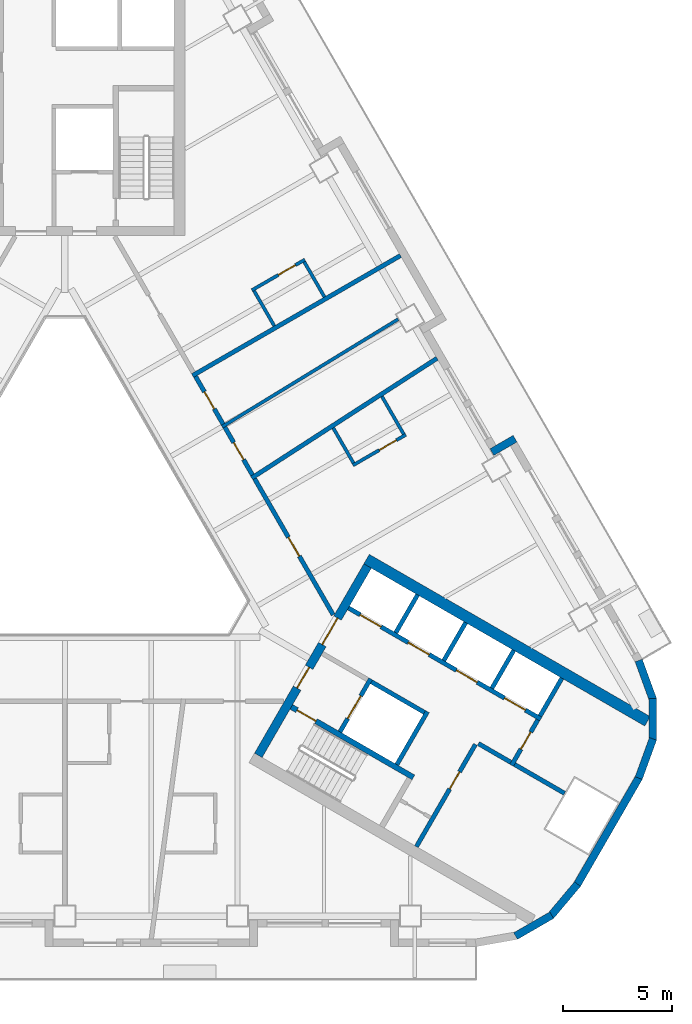
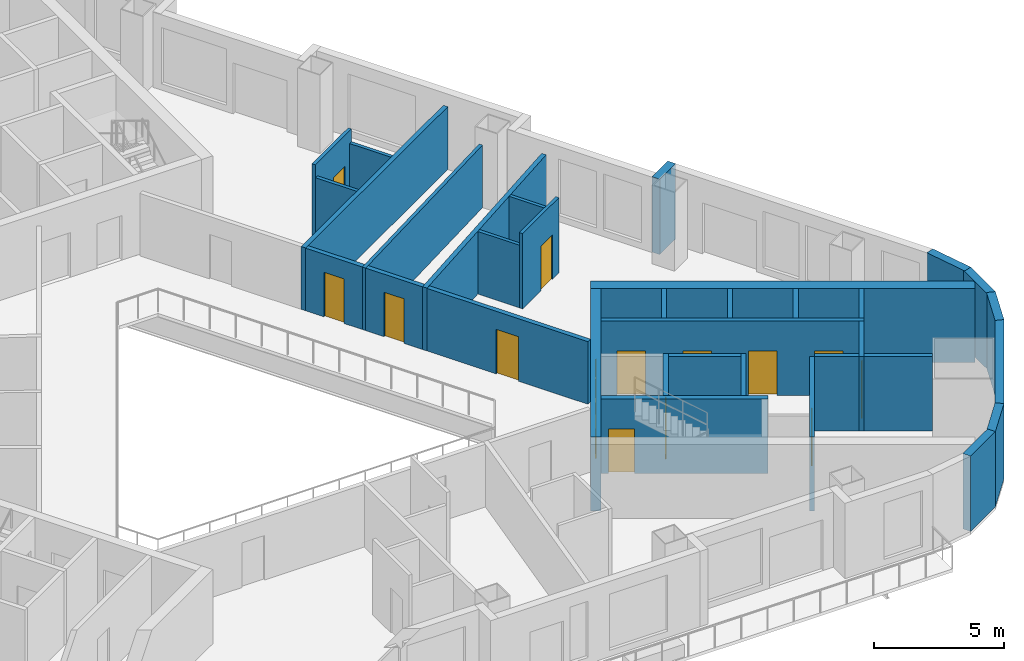
# One storey, part 5 of 13: 34 walls, 15 doors, 15 openings.
"""IFC4 building model written with IfcOpenShell, lengths in metres."""

from ifc_helpers import new_model, si_unit, direction, frame, frame_2d, origin, place, context, subcontext, project, spatial, rectangle, extrude, material, layer, layer_set, type_object, element, fill, save


model = new_model("IFC4")

# Units and contexts
model_context = context("Model", 3, precision=1e-05, world=origin(), true_north=direction((0.0, 1.0)))
body_context = subcontext(model_context, "Body", "Model", "MODEL_VIEW")
ifc_project = project(units=[si_unit("LENGTHUNIT", "METRE"), si_unit("AREAUNIT", "SQUARE_METRE"), si_unit("VOLUMEUNIT", "CUBIC_METRE"), si_unit("PLANEANGLEUNIT", "RADIAN"), si_unit("MASSUNIT", "GRAM", prefix="KILO")], contexts=[model_context])

# Site, building, storey
site_placement = place(None, origin())
site = spatial("IfcSite", under=ifc_project, at=site_placement, CompositionType="ELEMENT")
building_placement = place(site_placement, origin())
building = spatial("IfcBuilding", under=site, at=building_placement, Name="Apuvela Tower Hotel", CompositionType="ELEMENT")
storey_placement = place(building_placement, frame((0.0, 0.0, 65.0)))
storey = spatial("IfcBuildingStorey", under=building, at=storey_placement, Name="L13", CompositionType="ELEMENT", Elevation=65.0)

# Wall, openings, doors
ifc_material_1 = material(Name="Concrete C50/60", Category="concrete")
ifc_layer_1 = layer(ifc_material_1, 0.39990234375)
ifc_layer_set_1 = layer_set([ifc_layer_1], Name="COR-WALL-CORE-400")
wall_type_1 = type_object("IfcWallType", Name="COR-WALL-CORE-400", PredefinedType="SHEAR", material=ifc_layer_set_1)
wall_1_placement = place(storey_placement, frame((8.844970703125, -10.880126953125, 0.0), z_axis=(0.0, 0.0, 1.0), x_axis=(0.500004234368, 0.866022959057, 0.0)))
wall_1 = element("IfcWall", 1, at=wall_1_placement, inside=storey, type_object=wall_type_1, Name="Core wall SE", PredefinedType="SHEAR", context=body_context, shape_type="SweptSolid", body=[
    extrude(rectangle(XDim=10.0, YDim=0.39990234375, at=frame_2d((5.0, 0.0))), origin(), (0.0, 0.0, 1.0), 3.5),
])
opening_1_placement = place(wall_1_placement, frame((3.550048828125, 0.0, 0.0)))
opening_1 = element("IfcOpeningElement", 2, at=opening_1_placement, cuts=wall_1, Name="Opening E-FD", PredefinedType="OPENING", context=body_context, shape_type="SweptSolid", body=[
    extrude(rectangle(XDim=1.10009765625, YDim=2.10009765625, at=frame_2d((0.550048828125, 1.050048828125))), frame((0.0, 0.2099609375, 0.0), z_axis=(0.0, -1.0, 0.0), x_axis=(1.0, 0.0, 0.0)), (0.0, 0.0, 1.0), 0.419921875),
])
opening_2_placement = place(wall_1_placement, frame((5.85009765625, 0.0, 0.0)))
opening_2 = element("IfcOpeningElement", 3, at=opening_2_placement, cuts=wall_1, Name="Opening E-GD", PredefinedType="OPENING", context=body_context, shape_type="SweptSolid", body=[
    extrude(rectangle(XDim=1.39990234375, YDim=2.10009765625, at=frame_2d((0.699951171875, 1.050048828125))), frame((0.0, 0.2099609375, 0.0), z_axis=(0.0, -1.0, 0.0), x_axis=(1.0, 0.0, 0.0)), (0.0, 0.0, 1.0), 0.419921875),
])
ifc_material_2 = material(Name="Steel fire door, powder coated", Category="steel")
door_type_1 = type_object("IfcDoorType", Name="COR-FD-1100", OperationType="NOTDEFINED", PredefinedType="DOOR", material=ifc_material_2)
door_1_placement = place(opening_1_placement, frame((1.10009765625, 0.0, 0.0), z_axis=(0.0, 0.0, 1.0), x_axis=(-1.0, 0.0, 0.0)))
door_1 = element("IfcDoor", 4, at=door_1_placement, inside=storey, type_object=door_type_1, Name="Firefighting lobby door E-FD", OperationType="SINGLE_SWING_LEFT", OverallHeight=2.10009765625, OverallWidth=1.10009765625, PredefinedType="DOOR", context=body_context, shape_type="SweptSolid", body=[
    extrude(rectangle(XDim=1.10009765625, YDim=2.10009765625, at=frame_2d((0.550048828125, 1.050048828125))), frame((0.0, 0.02490234375, 0.0), z_axis=(0.0, -1.0, 0.0), x_axis=(1.0, 0.0, 0.0)), (0.0, 0.0, 1.0), 0.050048828125),
])
fill(opening_1, door_1)
ifc_material_3 = material(Name="Glazed steel fire door", Category="steel")
door_type_2 = type_object("IfcDoorType", Name="COR-GD-1400", OperationType="DOUBLE_DOOR_SINGLE_SWING", PredefinedType="DOOR", material=ifc_material_3)
door_2_placement = place(opening_2_placement, frame((1.39990234375, 0.0, 0.0), z_axis=(0.0, 0.0, 1.0), x_axis=(-1.0, 0.0, 0.0)))
door_2 = element("IfcDoor", 5, at=door_2_placement, inside=storey, type_object=door_type_2, Name="Lift lobby door E-GD", OperationType="DOUBLE_DOOR_SINGLE_SWING", OverallHeight=2.10009765625, OverallWidth=1.39990234375, PredefinedType="DOOR", context=body_context, shape_type="SweptSolid", body=[
    extrude(rectangle(XDim=1.39990234375, YDim=2.10009765625, at=frame_2d((0.699951171875, 1.050048828125))), frame((0.0, 0.02490234375, 0.0), z_axis=(0.0, -1.0, 0.0), x_axis=(1.0, 0.0, 0.0)), (0.0, 0.0, 1.0), 0.050048828125),
])
fill(opening_2, door_2)

# Wall
ifc_layer_2 = layer(ifc_material_1, 0.5)
ifc_layer_set_2 = layer_set([ifc_layer_2], Name="COR-WALL-CORE-500")
wall_type_2 = type_object("IfcWallType", Name="COR-WALL-CORE-500", PredefinedType="SHEAR", material=ifc_layer_set_2)
wall_2_placement = place(storey_placement, frame((13.796630859375, -1.9033203125, 0.0), z_axis=(0.0, 0.0, 1.0), x_axis=(0.866025009528, -0.500000682871, 0.0)))
element("IfcWall", 6, at=wall_2_placement, inside=storey, type_object=wall_type_2, Name="Core wall SE", PredefinedType="SHEAR", context=body_context, shape_type="SweptSolid", body=[
    extrude(rectangle(XDim=14.8369140625, YDim=0.5, at=frame_2d((7.41845703125, 0.0))), origin(), (0.0, 0.0, 1.0), 3.5),
])

# Wall, opening, door
ifc_material_4 = material(Name="Blockwork 200 mm plastered", Category="masonry")
ifc_layer_3 = layer(ifc_material_4, 0.199951171875)
ifc_layer_set_3 = layer_set([ifc_layer_3], Name="COR-WALL-PART-200")
wall_type_3 = type_object("IfcWallType", Name="COR-WALL-PART-200", PredefinedType="PARTITIONING", material=ifc_layer_set_3)
wall_3_placement = place(storey_placement, frame((16.076171875, -15.05517578125, 0.0), z_axis=(0.0, 0.0, 1.0), x_axis=(0.499995103361, 0.866028230842, 0.0)))
wall_3 = element("IfcWall", 7, at=wall_3_placement, inside=storey, type_object=wall_type_3, Name="Partition SE", PredefinedType="PARTITIONING", context=body_context, shape_type="SweptSolid", body=[
    extrude(rectangle(XDim=5.39990234375, YDim=0.199951171875, at=frame_2d((2.699951171875, 0.0))), origin(), (0.0, 0.0, 1.0), 3.5),
])
opening_3_placement = place(wall_3_placement, frame((3.050048828125, 0.0, 0.0)))
opening_3 = element("IfcOpeningElement", 8, at=opening_3_placement, cuts=wall_3, Name="Opening E-RS1", PredefinedType="OPENING", context=body_context, shape_type="SweptSolid", body=[
    extrude(rectangle(XDim=0.89990234375, YDim=2.10009765625, at=frame_2d((0.449951171875, 1.050048828125))), frame((0.0, 0.10986328125, 0.0), z_axis=(0.0, -1.0, 0.0), x_axis=(1.0, 0.0, 0.0)), (0.0, 0.0, 1.0), 0.219970703125),
])
door_type_3 = type_object("IfcDoorType", Name="COR-DR-900", OperationType="NOTDEFINED", PredefinedType="DOOR", material=ifc_material_2)
door_3_placement = place(opening_3_placement, frame((0.89990234375, 0.0, 0.0), z_axis=(0.0, 0.0, 1.0), x_axis=(-1.0, 0.0, 0.0)))
door_3 = element("IfcDoor", 9, at=door_3_placement, inside=storey, type_object=door_type_3, Name="Store door E-RS1", OperationType="SINGLE_SWING_LEFT", OverallHeight=2.10009765625, OverallWidth=0.89990234375, PredefinedType="DOOR", context=body_context, shape_type="SweptSolid", body=[
    extrude(rectangle(XDim=0.89990234375, YDim=2.10009765625, at=frame_2d((0.449951171875, 1.050048828125))), frame((0.0, 0.02490234375, 0.0), z_axis=(0.0, -1.0, 0.0), x_axis=(1.0, 0.0, 0.0)), (0.0, 0.0, 1.0), 0.050048828125),
])
fill(opening_3, door_3)

# Wall
ifc_layer_4 = layer(ifc_material_1, 0.199951171875)
ifc_layer_set_4 = layer_set([ifc_layer_4], Name="COR-WALL-SHAFT-200")
wall_type_4 = type_object("IfcWallType", Name="COR-WALL-SHAFT-200", PredefinedType="SHEAR", material=ifc_layer_set_4)
wall_4_placement = place(storey_placement, frame((15.181396484375, -11.305419921875, 0.0), z_axis=(0.0, 0.0, 1.0), x_axis=(0.49994636267, 0.866056369097, 0.0)))
element("IfcWall", 10, at=wall_4_placement, inside=storey, type_object=wall_type_4, Name="Shaft wall SE", PredefinedType="SHEAR", context=body_context, shape_type="SweptSolid", body=[
    extrude(rectangle(XDim=2.800048828125, YDim=0.199951171875, at=frame_2d((1.39990234375, 0.0))), origin(), (0.0, 0.0, 1.0), 3.5),
])

# Wall, opening, door
wall_5_placement = place(storey_placement, frame((12.583251953125, -9.805419921875, 0.0), z_axis=(0.0, 0.0, 1.0), x_axis=(0.49994636267, 0.866056369097, 0.0)))
wall_5 = element("IfcWall", 11, at=wall_5_placement, inside=storey, type_object=wall_type_4, Name="Shaft wall SE", PredefinedType="SHEAR", context=body_context, shape_type="SweptSolid", body=[
    extrude(rectangle(XDim=2.800048828125, YDim=0.199951171875, at=frame_2d((1.39990234375, 0.0))), origin(), (0.0, 0.0, 1.0), 3.5),
])
opening_4_placement = place(wall_5_placement, frame((0.699951171875, 0.0, 0.0)))
opening_4 = element("IfcOpeningElement", 12, at=opening_4_placement, cuts=wall_5, Name="Opening E-LD-FS3", PredefinedType="OPENING", context=body_context, shape_type="SweptSolid", body=[
    extrude(rectangle(XDim=1.199951171875, YDim=2.10009765625, at=frame_2d((0.60009765625, 1.050048828125))), frame((0.0, 0.10986328125, 0.0), z_axis=(0.0, -1.0, 0.0), x_axis=(1.0, 0.0, 0.0)), (0.0, 0.0, 1.0), 0.219970703125),
])
ifc_material_5 = material(Name="Stainless steel lift landing door", Category="steel")
door_type_4 = type_object("IfcDoorType", Name="COR-LD-1200", OperationType="DOUBLE_DOOR_SLIDING", PredefinedType="DOOR", material=ifc_material_5)
door_4_placement = place(opening_4_placement, origin())
door_4 = element("IfcDoor", 13, at=door_4_placement, inside=storey, type_object=door_type_4, Name="Lift landing door E-LD-FS3", OperationType="DOUBLE_DOOR_SLIDING", OverallHeight=2.10009765625, OverallWidth=1.199951171875, PredefinedType="DOOR", context=body_context, shape_type="SweptSolid", body=[
    extrude(rectangle(XDim=1.199951171875, YDim=2.10009765625, at=frame_2d((0.60009765625, 1.050048828125))), frame((0.0, 0.02490234375, 0.0), z_axis=(0.0, -1.0, 0.0), x_axis=(1.0, 0.0, 0.0)), (0.0, 0.0, 1.0), 0.050048828125),
])
fill(opening_4, door_4)

# Wall
wall_6_placement = place(storey_placement, frame((14.019775390625, -7.51708984375, 0.0), z_axis=(0.0, 0.0, 1.0), x_axis=(0.866034573852, -0.49998411664, 0.0)))
element("IfcWall", 14, at=wall_6_placement, inside=storey, type_object=wall_type_4, Name="Shaft wall SE", PredefinedType="SHEAR", context=body_context, shape_type="SweptSolid", body=[
    extrude(rectangle(XDim=2.7998046875, YDim=0.199951171875, at=frame_2d((1.39990234375, 0.0))), origin(), (0.0, 0.0, 1.0), 3.5),
])

# Wall, openings, doors
wall_7_placement = place(storey_placement, frame((12.968017578125, -4.138427734375, 0.0), z_axis=(0.0, 0.0, 1.0), x_axis=(0.866028328073, -0.49999493495, 0.0)))
wall_7 = element("IfcWall", 15, at=wall_7_placement, inside=storey, type_object=wall_type_4, Name="Shaft wall SE", PredefinedType="SHEAR", context=body_context, shape_type="SweptSolid", body=[
    extrude(rectangle(XDim=10.16015625, YDim=0.199951171875, at=frame_2d((5.080078125, 0.0))), origin(), (0.0, 0.0, 1.0), 3.5),
])
opening_5_placement = place(wall_7_placement, frame((0.6201171875, 0.0, 0.0)))
opening_5 = element("IfcOpeningElement", 16, at=opening_5_placement, cuts=wall_7, Name="Opening E-LD-LR1", PredefinedType="OPENING", context=body_context, shape_type="SweptSolid", body=[
    extrude(rectangle(XDim=1.10009765625, YDim=2.10009765625, at=frame_2d((0.550048828125, 1.050048828125))), frame((0.0, 0.10986328125, 0.0), z_axis=(0.0, -1.0, 0.0), x_axis=(1.0, 0.0, 0.0)), (0.0, 0.0, 1.0), 0.219970703125),
])
opening_6_placement = place(wall_7_placement, frame((3.159912109375, 0.0, 0.0)))
opening_6 = element("IfcOpeningElement", 17, at=opening_6_placement, cuts=wall_7, Name="Opening E-LD-LR2", PredefinedType="OPENING", context=body_context, shape_type="SweptSolid", body=[
    extrude(rectangle(XDim=1.10009765625, YDim=2.10009765625, at=frame_2d((0.550048828125, 1.050048828125))), frame((0.0, 0.10986328125, 0.0), z_axis=(0.0, -1.0, 0.0), x_axis=(1.0, 0.0, 0.0)), (0.0, 0.0, 1.0), 0.219970703125),
])
opening_7_placement = place(wall_7_placement, frame((5.699951171875, 0.0, 0.0)))
opening_7 = element("IfcOpeningElement", 18, at=opening_7_placement, cuts=wall_7, Name="Opening E-LD-LR3", PredefinedType="OPENING", context=body_context, shape_type="SweptSolid", body=[
    extrude(rectangle(XDim=1.10009765625, YDim=2.10009765625, at=frame_2d((0.550048828125, 1.050048828125))), frame((0.0, 0.10986328125, 0.0), z_axis=(0.0, -1.0, 0.0), x_axis=(1.0, 0.0, 0.0)), (0.0, 0.0, 1.0), 0.219970703125),
])
opening_8_placement = place(wall_7_placement, frame((8.239990234375, 0.0, 0.0)))
opening_8 = element("IfcOpeningElement", 19, at=opening_8_placement, cuts=wall_7, Name="Opening E-LD-LR4", PredefinedType="OPENING", context=body_context, shape_type="SweptSolid", body=[
    extrude(rectangle(XDim=1.10009765625, YDim=2.10009765625, at=frame_2d((0.550048828125, 1.050048828125))), frame((0.0, 0.10986328125, 0.0), z_axis=(0.0, -1.0, 0.0), x_axis=(1.0, 0.0, 0.0)), (0.0, 0.0, 1.0), 0.219970703125),
])
door_type_5 = type_object("IfcDoorType", Name="COR-LD-1100", OperationType="DOUBLE_DOOR_SLIDING", PredefinedType="DOOR", material=ifc_material_5)
door_5_placement = place(opening_5_placement, origin())
door_5 = element("IfcDoor", 20, at=door_5_placement, inside=storey, type_object=door_type_5, Name="Lift landing door E-LD-LR1", OperationType="DOUBLE_DOOR_SLIDING", OverallHeight=2.10009765625, OverallWidth=1.10009765625, PredefinedType="DOOR", context=body_context, shape_type="SweptSolid", body=[
    extrude(rectangle(XDim=1.10009765625, YDim=2.10009765625, at=frame_2d((0.550048828125, 1.050048828125))), frame((0.0, 0.02490234375, 0.0), z_axis=(0.0, -1.0, 0.0), x_axis=(1.0, 0.0, 0.0)), (0.0, 0.0, 1.0), 0.050048828125),
])
fill(opening_5, door_5)
door_6_placement = place(opening_6_placement, origin())
door_6 = element("IfcDoor", 21, at=door_6_placement, inside=storey, type_object=door_type_5, Name="Lift landing door E-LD-LR2", OperationType="DOUBLE_DOOR_SLIDING", OverallHeight=2.10009765625, OverallWidth=1.10009765625, PredefinedType="DOOR", context=body_context, shape_type="SweptSolid", body=[
    extrude(rectangle(XDim=1.10009765625, YDim=2.10009765625, at=frame_2d((0.550048828125, 1.050048828125))), frame((0.0, 0.02490234375, 0.0), z_axis=(0.0, -1.0, 0.0), x_axis=(1.0, 0.0, 0.0)), (0.0, 0.0, 1.0), 0.050048828125),
])
fill(opening_6, door_6)
door_7_placement = place(opening_7_placement, origin())
door_7 = element("IfcDoor", 22, at=door_7_placement, inside=storey, type_object=door_type_5, Name="Lift landing door E-LD-LR3", OperationType="DOUBLE_DOOR_SLIDING", OverallHeight=2.10009765625, OverallWidth=1.10009765625, PredefinedType="DOOR", context=body_context, shape_type="SweptSolid", body=[
    extrude(rectangle(XDim=1.10009765625, YDim=2.10009765625, at=frame_2d((0.550048828125, 1.050048828125))), frame((0.0, 0.02490234375, 0.0), z_axis=(0.0, -1.0, 0.0), x_axis=(1.0, 0.0, 0.0)), (0.0, 0.0, 1.0), 0.050048828125),
])
fill(opening_7, door_7)
door_8_placement = place(opening_8_placement, origin())
door_8 = element("IfcDoor", 23, at=door_8_placement, inside=storey, type_object=door_type_5, Name="Lift landing door E-LD-LR4", OperationType="DOUBLE_DOOR_SLIDING", OverallHeight=2.10009765625, OverallWidth=1.10009765625, PredefinedType="DOOR", context=body_context, shape_type="SweptSolid", body=[
    extrude(rectangle(XDim=1.10009765625, YDim=2.10009765625, at=frame_2d((0.550048828125, 1.050048828125))), frame((0.0, 0.02490234375, 0.0), z_axis=(0.0, -1.0, 0.0), x_axis=(1.0, 0.0, 0.0)), (0.0, 0.0, 1.0), 0.050048828125),
])
fill(opening_8, door_8)

# Wall, opening, door
wall_8_placement = place(storey_placement, frame((20.430419921875, -11.33349609375, 0.0), z_axis=(0.0, 0.0, 1.0), x_axis=(0.500001309137, 0.866024647952, 0.0)))
wall_8 = element("IfcWall", 24, at=wall_8_placement, inside=storey, type_object=wall_type_4, Name="Shaft wall SE", PredefinedType="SHEAR", context=body_context, shape_type="SweptSolid", body=[
    extrude(rectangle(XDim=2.39990234375, YDim=0.199951171875, at=frame_2d((1.199951171875, 0.0))), origin(), (0.0, 0.0, 1.0), 3.5),
])
opening_9_placement = place(wall_8_placement, frame((0.85009765625, 0.0, 0.0)))
opening_9 = element("IfcOpeningElement", 25, at=opening_9_placement, cuts=wall_8, Name="Opening E-REP", PredefinedType="OPENING", context=body_context, shape_type="SweptSolid", body=[
    extrude(rectangle(XDim=0.89990234375, YDim=2.10009765625, at=frame_2d((0.449951171875, 1.050048828125))), frame((0.0, 0.10986328125, 0.0), z_axis=(0.0, -1.0, 0.0), x_axis=(1.0, 0.0, 0.0)), (0.0, 0.0, 1.0), 0.219970703125),
])
door_9_placement = place(opening_9_placement, frame((0.89990234375, 0.0, 0.0), z_axis=(0.0, 0.0, 1.0), x_axis=(-1.0, 0.0, 0.0)))
door_9 = element("IfcDoor", 26, at=door_9_placement, inside=storey, type_object=door_type_3, Name="Store door E-REP", OperationType="SINGLE_SWING_RIGHT", OverallHeight=2.10009765625, OverallWidth=0.89990234375, PredefinedType="DOOR", context=body_context, shape_type="SweptSolid", body=[
    extrude(rectangle(XDim=0.89990234375, YDim=2.10009765625, at=frame_2d((0.449951171875, 1.050048828125))), frame((0.0, 0.02490234375, 0.0), z_axis=(0.0, -1.0, 0.0), x_axis=(1.0, 0.0, 0.0)), (0.0, 0.0, 1.0), 0.050048828125),
])
fill(opening_9, door_9)

# Walls
wall_9_placement = place(storey_placement, frame((18.912841796875, -10.342041015625, 0.0), z_axis=(0.0, 0.0, 1.0), x_axis=(0.866038183914, -0.499977863513, 0.0)))
element("IfcWall", 27, at=wall_9_placement, inside=storey, type_object=wall_type_4, Name="Shaft wall SE", PredefinedType="SHEAR", context=body_context, shape_type="SweptSolid", body=[
    extrude(rectangle(XDim=1.7099609375, YDim=0.199951171875, at=frame_2d((0.85498046875, 0.0))), origin(), (0.0, 0.0, 1.0), 3.5),
])
for number, where, z_axis, x_axis, name in (
    (28, (15.131103515625, -5.27197265625, 0.0), (0.0, 0.0, 1.0), (0.499972520799, 0.866041268327, 0.0), "Shaft wall SE"),
    (29, (17.330810546875, -6.5419921875, 0.0), (0.0, 0.0, 1.0), (0.499972520799, 0.866041268327, 0.0), "Shaft wall SE"),
    (30, (19.530517578125, -7.81201171875, 0.0), (0.0, 0.0, 1.0), (0.499972520799, 0.866041268327, 0.0), "Shaft wall SE"),
    (31, (21.73046875, -9.081787109375, 0.0), (0.0, 0.0, 1.0), (0.50002537861, 0.866010750942, 0.0), "Shaft wall SE"),
):
    element("IfcWall", number, at=place(storey_placement, frame(where, z_axis=z_axis, x_axis=x_axis)), inside=storey, type_object=wall_type_4, Name=name, PredefinedType="SHEAR", context=body_context, shape_type="SweptSolid", body=[
        extrude(rectangle(XDim=2.0, YDim=0.199951171875, at=frame_2d((1.0, 0.0))), origin(), (0.0, 0.0, 1.0), 3.5),
    ])
wall_10_placement = place(storey_placement, frame((20.56689453125, -11.297119140625, 0.0), z_axis=(0.0, 0.0, 1.0), x_axis=(0.866060851709, -0.499938597367, 0.0)))
element("IfcWall", 32, at=wall_10_placement, inside=storey, type_object=wall_type_4, Name="Shaft wall SE", PredefinedType="SHEAR", context=body_context, shape_type="SweptSolid", body=[
    extrude(rectangle(XDim=2.639892578125, YDim=0.199951171875, at=frame_2d((1.31982421875, 0.0))), origin(), (0.0, 0.0, 1.0), 3.5),
])

# Wall, opening, door
ifc_layer_5 = layer(ifc_material_1, 0.25)
ifc_layer_set_5 = layer_set([ifc_layer_5], Name="COR-WALL-STAIR-250")
wall_type_5 = type_object("IfcWallType", Name="COR-WALL-STAIR-250", PredefinedType="SHEAR", material=ifc_layer_set_5)
wall_11_placement = place(storey_placement, frame((10.355712890625, -8.66357421875, 0.0), z_axis=(0.0, 0.0, 1.0), x_axis=(0.866028629588, -0.499994412703, 0.0)))
wall_11 = element("IfcWall", 33, at=wall_11_placement, inside=storey, type_object=wall_type_5, Name="Stair wall SE", PredefinedType="SHEAR", context=body_context, shape_type="SweptSolid", body=[
    extrude(rectangle(XDim=6.44970703125, YDim=0.25, at=frame_2d((3.224853515625, 0.0))), origin(), (0.0, 0.0, 1.0), 3.5),
])
opening_10_placement = place(wall_11_placement, frame((0.300048828125, 0.0, 0.0)))
opening_10 = element("IfcOpeningElement", 34, at=opening_10_placement, cuts=wall_11, Name="Opening E-SD", PredefinedType="OPENING", context=body_context, shape_type="SweptSolid", body=[
    extrude(rectangle(XDim=1.0, YDim=2.10009765625, at=frame_2d((0.5, 1.050048828125))), frame((0.0, 0.135009765625, 0.0), z_axis=(0.0, -1.0, 0.0), x_axis=(1.0, 0.0, 0.0)), (0.0, 0.0, 1.0), 0.27001953125),
])
door_type_6 = type_object("IfcDoorType", Name="COR-SD-1000", OperationType="NOTDEFINED", PredefinedType="DOOR", material=ifc_material_2)
door_10_placement = place(opening_10_placement, frame((1.0, 0.0, 0.0), z_axis=(0.0, 0.0, 1.0), x_axis=(-1.0, 0.0, 0.0)))
door_10 = element("IfcDoor", 35, at=door_10_placement, inside=storey, type_object=door_type_6, Name="Stair door E-SD", OperationType="SINGLE_SWING_LEFT", OverallHeight=2.10009765625, OverallWidth=1.0, PredefinedType="DOOR", context=body_context, shape_type="SweptSolid", body=[
    extrude(rectangle(XDim=1.0, YDim=2.10009765625, at=frame_2d((0.5, 1.050048828125))), frame((0.0, 0.02490234375, 0.0), z_axis=(0.0, -1.0, 0.0), x_axis=(1.0, 0.0, 0.0)), (0.0, 0.0, 1.0), 0.050048828125),
])
fill(opening_10, door_10)

# Walls
ifc_material_6 = material(Name="Concrete C40/50, dark pigmented precast panel", Category="concrete")
ifc_layer_6 = layer(ifc_material_6, 0.35009765625)
ifc_layer_set_6 = layer_set([ifc_layer_6], Name="ENV-WALL-350")
wall_type_6 = type_object("IfcWallType", Name="ENV-WALL-350", PredefinedType="SOLIDWALL", material=ifc_layer_set_6)
for number, where, z_axis, x_axis, name in (
    (36, (20.609619140625, -19.146728515625, 0.0), (0.0, 0.0, 1.0), (0.866000389056, 0.500043324278, 0.0), "External wall L13-27"),
    (37, (22.21728515625, -18.230712890625, 0.0), (0.0, 0.0, 1.0), (0.642733291068, 0.76609001857, 0.0), "External wall L13-28"),
):
    element("IfcWall", number, at=place(storey_placement, frame(where, z_axis=z_axis, x_axis=x_axis)), inside=storey, type_object=wall_type_6, Name=name, PredefinedType="SOLIDWALL", context=body_context, shape_type="SweptSolid", body=[
        extrude(rectangle(XDim=1.909912109375, YDim=0.35009765625, at=frame_2d((0.955078125, 0.0))), origin(), (0.0, 0.0, 1.0), 3.550048828125),
    ])
wall_12_placement = place(storey_placement, frame((23.427490234375, -16.79248046875, 0.0), z_axis=(0.0, 0.0, 1.0), x_axis=(0.500018773155, 0.866014564827, 0.0)))
element("IfcWall", 38, at=wall_12_placement, inside=storey, type_object=wall_type_6, Name="External wall L13-29", PredefinedType="SOLIDWALL", context=body_context, shape_type="SweptSolid", body=[
    extrude(rectangle(XDim=5.657958984375, YDim=0.35009765625, at=frame_2d((2.8291015625, 0.0))), origin(), (0.0, 0.0, 1.0), 3.550048828125),
])
for number, where, z_axis, x_axis, name in (
    (39, (26.24365234375, -11.920166015625, 0.0), (0.0, 0.0, 1.0), (0.342030395486, 0.939688889242, 0.0), "External wall L13-30"),
    (40, (26.88623046875, -10.18505859375, 0.0), (0.0, 0.0, 1.0), (0.0, 1.0, 0.0), "External wall L13-31"),
    (41, (26.89697265625, -8.334716796875, 0.0), (0.0, 0.0, 1.0), (-0.342030395486, 0.939688889242, 0.0), "External wall L13-32"),
):
    element("IfcWall", number, at=place(storey_placement, frame(where, z_axis=z_axis, x_axis=x_axis)), inside=storey, type_object=wall_type_6, Name=name, PredefinedType="SOLIDWALL", context=body_context, shape_type="SweptSolid", body=[
        extrude(rectangle(XDim=1.91015625, YDim=0.35009765625, at=frame_2d((0.955078125, 0.0))), origin(), (0.0, 0.0, 1.0), 3.550048828125),
    ])
wall_13_placement = place(storey_placement, frame((20.587646484375, 3.601318359375, 0.0), z_axis=(0.0, 0.0, 1.0), x_axis=(-0.866005645448, -0.500034220881, 0.0)))
element("IfcWall", 42, at=wall_13_placement, inside=storey, type_object=wall_type_6, Name="External wall L13-34", PredefinedType="SOLIDWALL", context=body_context, shape_type="SweptSolid", body=[
    extrude(rectangle(XDim=1.22021484375, YDim=0.35009765625, at=frame_2d((0.610107421875, 0.0))), origin(), (0.0, 0.0, 1.0), 3.550048828125),
])
ifc_material_7 = material(Name="Gypsum board partition on twin steel stud", Category="steel")
ifc_layer_7 = layer(ifc_material_7, 0.199951171875)
ifc_layer_set_7 = layer_set([ifc_layer_7], Name="GST-PW1")
wall_type_7 = type_object("IfcWallType", Name="GST-PW1", PredefinedType="PARTITIONING", material=ifc_layer_set_7)
wall_14_placement = place(storey_placement, frame((17.02001953125, 7.2802734375, 0.0), z_axis=(0.0, 0.0, 1.0), x_axis=(-0.839924980805, -0.542702521294, 0.0)))
element("IfcWall", 43, at=wall_14_placement, inside=storey, type_object=wall_type_7, Name="L13 partition 03", PredefinedType="PARTITIONING", context=body_context, shape_type="SweptSolid", body=[
    extrude(rectangle(XDim=10.092529296875, YDim=0.199951171875, at=frame_2d((5.04638671875, 0.0))), origin(), (0.0, 0.0, 1.0), 2.9599609375),
])
wall_15_placement = place(storey_placement, frame((15.346923828125, 11.978271484375, 0.0), z_axis=(0.0, 0.0, 1.0), x_axis=(-0.866027479907, -0.499996404033, 0.0)))
element("IfcWall", 44, at=wall_15_placement, inside=storey, type_object=wall_type_7, Name="L13 partition 04", PredefinedType="PARTITIONING", context=body_context, shape_type="SweptSolid", body=[
    extrude(rectangle(XDim=10.97998046875, YDim=0.199951171875, at=frame_2d((5.489990234375, 0.0))), origin(), (0.0, 0.0, 1.0), 2.9599609375),
])

# Wall, opening, door
ifc_material_8 = material(Name="Gypsum board corridor wall on twin steel stud, acoustic", Category="steel")
ifc_layer_8 = layer(ifc_material_8, 0.199951171875)
ifc_layer_set_8 = layer_set([ifc_layer_8], Name="GST-PW2")
wall_type_8 = type_object("IfcWallType", Name="GST-PW2", PredefinedType="PARTITIONING", material=ifc_layer_set_8)
wall_16_placement = place(storey_placement, frame((8.67724609375, 1.770751953125, 0.0), z_axis=(0.0, 0.0, 1.0), x_axis=(0.50000293509, -0.866023709203, 0.0)))
wall_16 = element("IfcWall", 45, at=wall_16_placement, inside=storey, type_object=wall_type_8, Name="L13 partition 18", PredefinedType="PARTITIONING", context=body_context, shape_type="SweptSolid", body=[
    extrude(rectangle(XDim=7.18310546875, YDim=0.199951171875, at=frame_2d((3.591552734375, 0.0))), origin(), (0.0, 0.0, 1.0), 2.949951171875),
])
opening_11_placement = place(wall_16_placement, frame((3.091552734375, 0.0, 0.0)))
opening_11 = element("IfcOpeningElement", 46, at=opening_11_placement, cuts=wall_16, Name="Opening GD03-08", PredefinedType="OPENING", context=body_context, shape_type="SweptSolid", body=[
    extrude(rectangle(XDim=1.0, YDim=2.10009765625, at=frame_2d((0.5, 1.050048828125))), frame((0.0, 0.10986328125, 0.0), z_axis=(0.0, -1.0, 0.0), x_axis=(1.0, 0.0, 0.0)), (0.0, 0.0, 1.0), 0.219970703125),
])
ifc_material_9 = material(Name="Timber door leaf in steel frame", Category="steel")
door_type_7 = type_object("IfcDoorType", Name="GST-D1", OperationType="NOTDEFINED", PredefinedType="DOOR", material=ifc_material_9)
door_11_placement = place(opening_11_placement, origin())
door_11 = element("IfcDoor", 47, at=door_11_placement, inside=storey, type_object=door_type_7, Name="Door L13-08", OperationType="SINGLE_SWING_LEFT", OverallHeight=2.10009765625, OverallWidth=1.0, PredefinedType="DOOR", context=body_context, shape_type="SweptSolid", body=[
    extrude(rectangle(XDim=1.0, YDim=2.10009765625, at=frame_2d((0.5, 1.050048828125))), frame((0.0, 0.02490234375, 0.0), z_axis=(0.0, -1.0, 0.0), x_axis=(1.0, 0.0, 0.0)), (0.0, 0.0, 1.0), 0.050048828125),
])
fill(opening_11, door_11)

wall_17_placement = place(storey_placement, frame((7.3134765625, 4.1328125, 0.0), z_axis=(0.0, 0.0, 1.0), x_axis=(0.500003972934, -0.866023109998, 0.0)))
wall_17 = element("IfcWall", 48, at=wall_17_placement, inside=storey, type_object=wall_type_8, Name="L13 partition 23", PredefinedType="PARTITIONING", context=body_context, shape_type="SweptSolid", body=[
    extrude(rectangle(XDim=2.52734375, YDim=0.199951171875, at=frame_2d((1.263671875, 0.0))), origin(), (0.0, 0.0, 1.0), 2.949951171875),
])
opening_12_placement = place(wall_17_placement, frame((0.813720703125, 0.0, 0.0)))
opening_12 = element("IfcOpeningElement", 49, at=opening_12_placement, cuts=wall_17, Name="Opening GD03-09", PredefinedType="OPENING", context=body_context, shape_type="SweptSolid", body=[
    extrude(rectangle(XDim=0.89990234375, YDim=2.10009765625, at=frame_2d((0.449951171875, 1.050048828125))), frame((0.0, 0.10986328125, 0.0), z_axis=(0.0, -1.0, 0.0), x_axis=(1.0, 0.0, 0.0)), (0.0, 0.0, 1.0), 0.219970703125),
])
door_type_8 = type_object("IfcDoorType", Name="GST-D2", OperationType="NOTDEFINED", PredefinedType="DOOR", material=ifc_material_9)
door_12_placement = place(opening_12_placement, origin())
door_12 = element("IfcDoor", 50, at=door_12_placement, inside=storey, type_object=door_type_8, Name="Door L13-09", OperationType="SINGLE_SWING_LEFT", OverallHeight=2.10009765625, OverallWidth=0.89990234375, PredefinedType="DOOR", context=body_context, shape_type="SweptSolid", body=[
    extrude(rectangle(XDim=0.89990234375, YDim=2.10009765625, at=frame_2d((0.449951171875, 1.050048828125))), frame((0.0, 0.02490234375, 0.0), z_axis=(0.0, -1.0, 0.0), x_axis=(1.0, 0.0, 0.0)), (0.0, 0.0, 1.0), 0.050048828125),
])
fill(opening_12, door_12)

wall_18_placement = place(storey_placement, frame((5.974609375, 6.45166015625, 0.0), z_axis=(0.0, 0.0, 1.0), x_axis=(0.499962146402, -0.866047257466, 0.0)))
wall_18 = element("IfcWall", 51, at=wall_18_placement, inside=storey, type_object=wall_type_8, Name="L13 partition 24", PredefinedType="PARTITIONING", context=body_context, shape_type="SweptSolid", body=[
    extrude(rectangle(XDim=2.527587890625, YDim=0.199951171875, at=frame_2d((1.263671875, 0.0))), origin(), (0.0, 0.0, 1.0), 2.949951171875),
])
opening_13_placement = place(wall_18_placement, frame((0.813720703125, 0.0, 0.0)))
opening_13 = element("IfcOpeningElement", 52, at=opening_13_placement, cuts=wall_18, Name="Opening GD03-10", PredefinedType="OPENING", context=body_context, shape_type="SweptSolid", body=[
    extrude(rectangle(XDim=0.89990234375, YDim=2.10009765625, at=frame_2d((0.449951171875, 1.050048828125))), frame((0.0, 0.10986328125, 0.0), z_axis=(0.0, -1.0, 0.0), x_axis=(1.0, 0.0, 0.0)), (0.0, 0.0, 1.0), 0.219970703125),
])
door_13_placement = place(opening_13_placement, origin())
door_13 = element("IfcDoor", 53, at=door_13_placement, inside=storey, type_object=door_type_8, Name="Door L13-10", OperationType="SINGLE_SWING_RIGHT", OverallHeight=2.10009765625, OverallWidth=0.89990234375, PredefinedType="DOOR", context=body_context, shape_type="SweptSolid", body=[
    extrude(rectangle(XDim=0.89990234375, YDim=2.10009765625, at=frame_2d((0.449951171875, 1.050048828125))), frame((0.0, 0.02490234375, 0.0), z_axis=(0.0, -1.0, 0.0), x_axis=(1.0, 0.0, 0.0)), (0.0, 0.0, 1.0), 0.050048828125),
])
fill(opening_13, door_13)

ifc_material_10 = material(Name="Moisture-resistant gypsum board wet wall on steel stud", Category="steel")
ifc_layer_9 = layer(ifc_material_10, 0.14990234375)
ifc_layer_set_9 = layer_set([ifc_layer_9], Name="GST-PW3")
wall_type_9 = type_object("IfcWallType", Name="GST-PW3", PredefinedType="PARTITIONING", material=ifc_layer_set_9)
wall_19_placement = place(storey_placement, frame((13.171875, 2.3857421875, 0.0), z_axis=(0.0, 0.0, 1.0), x_axis=(0.865996816683, 0.500049511043, 0.0)))
wall_19 = element("IfcWall", 54, at=wall_19_placement, inside=storey, type_object=wall_type_9, Name="L13 partition 19", PredefinedType="PARTITIONING", context=body_context, shape_type="SweptSolid", body=[
    extrude(rectangle(XDim=2.800048828125, YDim=0.14990234375, at=frame_2d((1.39990234375, 0.0))), origin(), (0.0, 0.0, 1.0), 3.550048828125),
])
opening_14_placement = place(wall_19_placement, frame((1.39990234375, 0.0, 0.0)))
opening_14 = element("IfcOpeningElement", 55, at=opening_14_placement, cuts=wall_19, Name="Opening GD03-07", PredefinedType="OPENING", context=body_context, shape_type="SweptSolid", body=[
    extrude(rectangle(XDim=0.89990234375, YDim=2.10009765625, at=frame_2d((0.449951171875, 1.050048828125))), frame((0.0, 0.0849609375, 0.0), z_axis=(0.0, -1.0, 0.0), x_axis=(1.0, 0.0, 0.0)), (0.0, 0.0, 1.0), 0.169921875),
])
door_14_placement = place(opening_14_placement, origin())
door_14 = element("IfcDoor", 56, at=door_14_placement, inside=storey, type_object=door_type_8, Name="Door L13-07", OperationType="SINGLE_SWING_RIGHT", OverallHeight=2.10009765625, OverallWidth=0.89990234375, PredefinedType="DOOR", context=body_context, shape_type="SweptSolid", body=[
    extrude(rectangle(XDim=0.89990234375, YDim=2.10009765625, at=frame_2d((0.449951171875, 1.050048828125))), frame((0.0, 0.02490234375, 0.0), z_axis=(0.0, -1.0, 0.0), x_axis=(1.0, 0.0, 0.0)), (0.0, 0.0, 1.0), 0.050048828125),
])
fill(opening_14, door_14)

# Walls
wall_20_placement = place(storey_placement, frame((15.494140625, 3.813232421875, 0.0), z_axis=(0.0, 0.0, 1.0), x_axis=(-0.499945861543, 0.866056658381, 0.0)))
element("IfcWall", 57, at=wall_20_placement, inside=storey, type_object=wall_type_9, Name="L13 partition 20", PredefinedType="PARTITIONING", context=body_context, shape_type="SweptSolid", body=[
    extrude(rectangle(XDim=1.986572265625, YDim=0.14990234375, at=frame_2d((0.9931640625, 0.0))), origin(), (0.0, 0.0, 1.0), 2.949951171875),
])
wall_21_placement = place(storey_placement, frame((13.19921875, 2.48828125, 0.0), z_axis=(0.0, 0.0, 1.0), x_axis=(-0.499992292652, 0.866029853578, 0.0)))
element("IfcWall", 58, at=wall_21_placement, inside=storey, type_object=wall_type_9, Name="L13 partition 21", PredefinedType="PARTITIONING", context=body_context, shape_type="SweptSolid", body=[
    extrude(rectangle(XDim=1.853515625, YDim=0.14990234375, at=frame_2d((0.9267578125, 0.0))), origin(), (0.0, 0.0, 1.0), 2.949951171875),
])
wall_22_placement = place(storey_placement, frame((15.239013671875, 9.065185546875, 0.0), z_axis=(0.0, 0.0, 1.0), x_axis=(-0.853241525467, -0.521515962573, 0.0)))
element("IfcWall", 59, at=wall_22_placement, inside=storey, type_object=wall_type_9, Name="L13 partition 22", PredefinedType="PARTITIONING", context=body_context, shape_type="SweptSolid", body=[
    extrude(rectangle(XDim=9.432861328125, YDim=0.14990234375, at=frame_2d((4.71630859375, 0.0))), origin(), (0.0, 0.0, 1.0), 2.949951171875),
])

# Wall, opening, door
wall_23_placement = place(storey_placement, frame((10.974365234375, 11.7919921875, 0.0), z_axis=(0.0, 0.0, 1.0), x_axis=(-0.866056369097, -0.49994636267, 0.0)))
wall_23 = element("IfcWall", 60, at=wall_23_placement, inside=storey, type_object=wall_type_9, Name="L13 partition 26", PredefinedType="PARTITIONING", context=body_context, shape_type="SweptSolid", body=[
    extrude(rectangle(XDim=2.800048828125, YDim=0.14990234375, at=frame_2d((1.39990234375, 0.0))), origin(), (0.0, 0.0, 1.0), 3.550048828125),
])
opening_15_placement = place(wall_23_placement, frame((0.5, 0.0, 0.0)))
opening_15 = element("IfcOpeningElement", 61, at=opening_15_placement, cuts=wall_23, Name="Opening GD03-11", PredefinedType="OPENING", context=body_context, shape_type="SweptSolid", body=[
    extrude(rectangle(XDim=0.89990234375, YDim=2.10009765625, at=frame_2d((0.449951171875, 1.050048828125))), frame((0.0, 0.0849609375, 0.0), z_axis=(0.0, -1.0, 0.0), x_axis=(1.0, 0.0, 0.0)), (0.0, 0.0, 1.0), 0.169921875),
])
door_15_placement = place(opening_15_placement, origin())
door_15 = element("IfcDoor", 62, at=door_15_placement, inside=storey, type_object=door_type_8, Name="Door L13-11", OperationType="SINGLE_SWING_LEFT", OverallHeight=2.10009765625, OverallWidth=0.89990234375, PredefinedType="DOOR", context=body_context, shape_type="SweptSolid", body=[
    extrude(rectangle(XDim=0.89990234375, YDim=2.10009765625, at=frame_2d((0.449951171875, 1.050048828125))), frame((0.0, 0.02490234375, 0.0), z_axis=(0.0, -1.0, 0.0), x_axis=(1.0, 0.0, 0.0)), (0.0, 0.0, 1.0), 0.050048828125),
])
fill(opening_15, door_15)

# Walls
for number, where, z_axis, x_axis, name in (
    (63, (11.871826171875, 10.08740234375, 0.0), (0.0, 0.0, 1.0), (-0.500042316284, 0.866000971088, 0.0), "L13 partition 27"),
    (64, (9.576904296875, 8.762451171875, 0.0), (0.0, 0.0, 1.0), (-0.500042316284, 0.866000971088, 0.0), "L13 partition 28"),
):
    element("IfcWall", number, at=place(storey_placement, frame(where, z_axis=z_axis, x_axis=x_axis)), inside=storey, type_object=wall_type_9, Name=name, PredefinedType="PARTITIONING", context=body_context, shape_type="SweptSolid", body=[
        extrude(rectangle(XDim=1.849853515625, YDim=0.14990234375, at=frame_2d((0.9248046875, 0.0))), origin(), (0.0, 0.0, 1.0), 2.949951171875),
    ])

save(model, "model.ifc")
